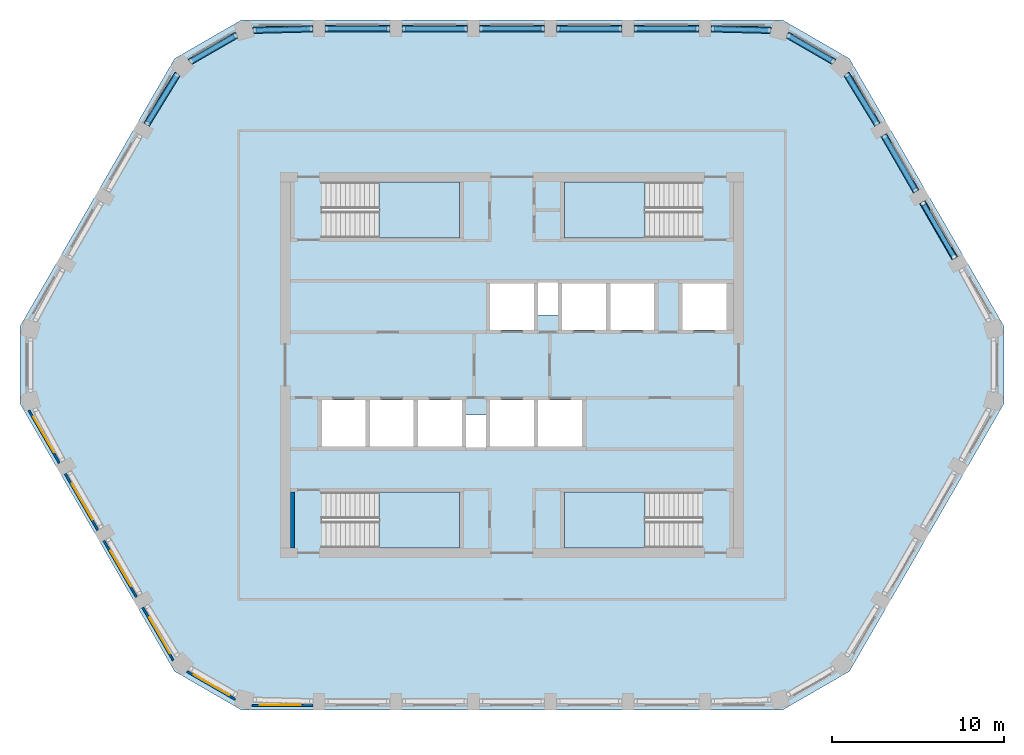
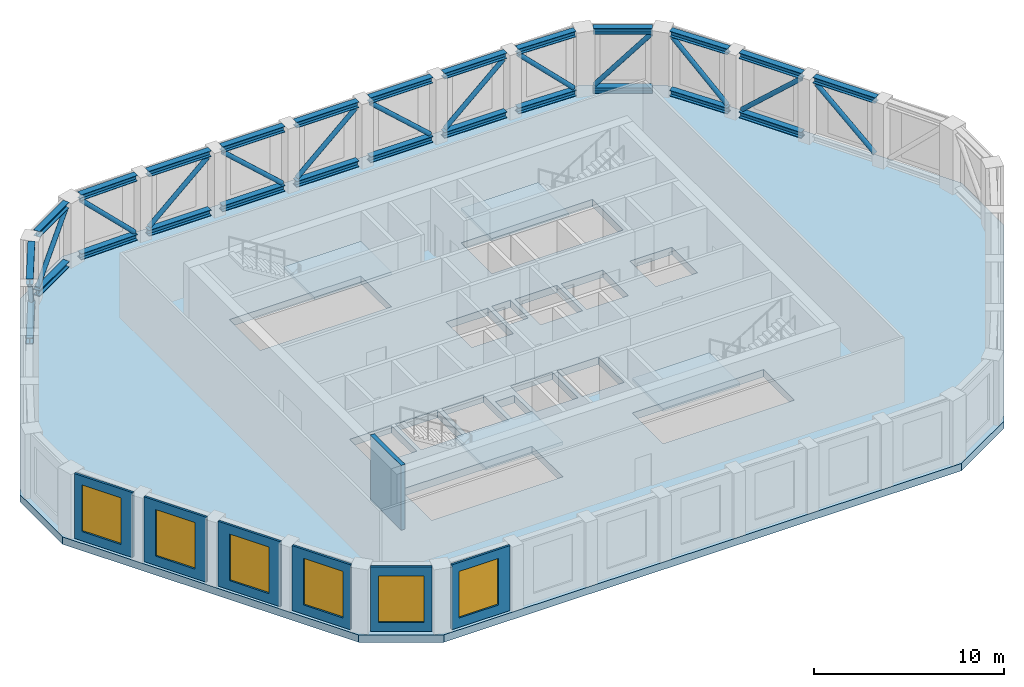
# One storey, part 2 of 14: 25 beams, 13 members, 7 walls, 6 windows, 5 slabs, 6 openings, 4 elements without a shape of their own.
"""IFC4 building model written with IfcOpenShell, lengths in metres."""

from ifc_helpers import new_model, si_unit, direction, frame, frame_2d, origin, origin_2d, place, context, subcontext, project, spatial, polyline, rectangle, hollow_circle, i_section, outline, extrude, material, layer, layer_set, material_profile, profile_set, type_object, element, fill, aggregate, save


model = new_model("IFC4")

# Units and contexts
model_context = context("Model", 3, precision=1e-05, world=origin(), true_north=direction((0.0, 1.0)))
body_context = subcontext(model_context, "Body", "Model", "MODEL_VIEW")
ifc_project = project(units=[si_unit("LENGTHUNIT", "METRE"), si_unit("AREAUNIT", "SQUARE_METRE"), si_unit("VOLUMEUNIT", "CUBIC_METRE"), si_unit("PLANEANGLEUNIT", "RADIAN"), si_unit("MASSUNIT", "GRAM", prefix="KILO")], contexts=[model_context])

# Site, building, storey
site_placement = place(None, origin())
site = spatial("IfcSite", under=ifc_project, at=site_placement, CompositionType="ELEMENT")
building_placement = place(site_placement, origin())
building = spatial("IfcBuilding", under=site, at=building_placement, Name="Dhurran Vertical Campus", CompositionType="ELEMENT")
storey_placement = place(building_placement, frame((0.0, 0.0, 282.0)))
storey = spatial("IfcBuildingStorey", under=building, at=storey_placement, Name="L70 Plant", CompositionType="ELEMENT", Elevation=282.0)

# Beams
ifc_material_1 = material(Name="Steel ASTM A992", Category="steel")
ifc_material_profile_1 = material_profile(ifc_material_1, i_section(OverallWidth=0.3740234375, OverallDepth=0.3720703125, WebThickness=0.016357421875, FlangeThickness=0.026123046875, at=origin_2d()), Name="W360x196")
ifc_profile_set_1 = profile_set([ifc_material_profile_1], Name="Steel ASTM A992")
beam_type = type_object("IfcBeamType", Name="FR BELT CHORD W360x196", PredefinedType="BEAM", material=ifc_profile_set_1)
beam_placement = place(storey_placement, frame((25.7890625, 6.2001953125, 3.989013671875), z_axis=(-0.499967155389, 0.866044365799, 0.0), x_axis=(-0.866044365799, -0.499967155389, 0.0)))
element("IfcBeam", 1, at=beam_placement, inside=storey, type_object=beam_type, Name="Belt truss chord L70", PredefinedType="BEAM", context=body_context, shape_type="SweptSolid", body=[
    extrude(i_section(OverallWidth=0.3740234375, OverallDepth=0.3720703125, WebThickness=0.016357421875, FlangeThickness=0.026123046875, at=origin_2d()), origin(), (0.0, 0.0, 1.0), 3.800048828125),
])
for number, where, z_axis, x_axis, name in (
    (2, (23.5390625, 10.097412109375, 0.18603515625), (-0.499994975061, 0.866028304915, 0.0), (-0.866028304915, -0.499994975061, 0.0), "Belt truss chord L70"),
    (3, (23.5390625, 10.097412109375, 3.989013671875), (-0.499994975061, 0.866028304915, 0.0), (-0.866028304915, -0.499994975061, 0.0), "Belt truss chord L70"),
):
    element("IfcBeam", number, at=place(storey_placement, frame(where, z_axis=z_axis, x_axis=x_axis)), inside=storey, type_object=beam_type, Name=name, PredefinedType="BEAM", context=body_context, shape_type="SweptSolid", body=[
        extrude(i_section(OverallWidth=0.3740234375, OverallDepth=0.3720703125, WebThickness=0.016357421875, FlangeThickness=0.026123046875, at=origin_2d()), origin(), (0.0, 0.0, 1.0), 3.7998046875),
    ])
for number, where, z_axis, x_axis, name in (
    (4, (21.28125, 13.989990234375, 0.18603515625), (-0.522299938367, 0.852761850919, 0.0), (-0.852761850919, -0.522299938367, 0.0), "Belt truss chord L70"),
    (5, (21.28125, 13.989990234375, 3.989013671875), (-0.522299938367, 0.852761850919, 0.0), (-0.852761850919, -0.522299938367, 0.0), "Belt truss chord L70"),
):
    element("IfcBeam", number, at=place(storey_placement, frame(where, z_axis=z_axis, x_axis=x_axis)), inside=storey, type_object=beam_type, Name=name, PredefinedType="BEAM", context=body_context, shape_type="SweptSolid", body=[
        extrude(i_section(OverallWidth=0.3740234375, OverallDepth=0.3720703125, WebThickness=0.016357421875, FlangeThickness=0.026123046875, at=origin_2d()), origin(), (0.0, 0.0, 1.0), 3.47314453125),
    ])
for number, where, z_axis, x_axis, name in (
    (6, (18.75048828125, 17.64892578125, 0.18603515625), (-0.866011891242, 0.50002340368, 0.0), (-0.50002340368, -0.866011891242, 0.0), "Belt truss chord L70"),
    (7, (18.75048828125, 17.64892578125, 3.989013671875), (-0.866011891242, 0.50002340368, 0.0), (-0.50002340368, -0.866011891242, 0.0), "Belt truss chord L70"),
):
    element("IfcBeam", number, at=place(storey_placement, frame(where, z_axis=z_axis, x_axis=x_axis)), inside=storey, type_object=beam_type, Name=name, PredefinedType="BEAM", context=body_context, shape_type="SweptSolid", body=[
        extrude(i_section(OverallWidth=0.3740234375, OverallDepth=0.3720703125, WebThickness=0.016357421875, FlangeThickness=0.026123046875, at=origin_2d()), origin(), (0.0, 0.0, 1.0), 3.136474609375),
    ])
for number, where, z_axis, x_axis, name in (
    (8, (15.07177734375, 19.489501953125, 0.18603515625), (-0.999665305657, 0.025870382031, 0.0), (-0.025870382031, -0.999665305657, 0.0), "Belt truss chord L70"),
    (9, (15.07177734375, 19.489501953125, 3.989013671875), (-0.999665305657, 0.025870382031, 0.0), (-0.025870382031, -0.999665305657, 0.0), "Belt truss chord L70"),
):
    element("IfcBeam", number, at=place(storey_placement, frame(where, z_axis=z_axis, x_axis=x_axis)), inside=storey, type_object=beam_type, Name=name, PredefinedType="BEAM", context=body_context, shape_type="SweptSolid", body=[
        extrude(i_section(OverallWidth=0.3740234375, OverallDepth=0.3720703125, WebThickness=0.016357421875, FlangeThickness=0.026123046875, at=origin_2d()), origin(), (0.0, 0.0, 1.0), 3.472900390625),
    ])
for number, where, z_axis, x_axis, name in (
    (10, (10.89990234375, 19.58837890625, 0.18603515625), (-1.0, 0.0, 0.0), (0.0, -1.0, 0.0), "Belt truss chord L70"),
    (11, (10.89990234375, 19.58837890625, 3.989013671875), (-1.0, 0.0, 0.0), (0.0, -1.0, 0.0), "Belt truss chord L70"),
    (12, (6.39990234375, 19.58837890625, 0.18603515625), (-1.0, 0.0, 0.0), (0.0, -1.0, 0.0), "Belt truss chord L70"),
    (13, (6.39990234375, 19.58837890625, 3.989013671875), (-1.0, 0.0, 0.0), (0.0, -1.0, 0.0), "Belt truss chord L70"),
    (14, (1.89990234375, 19.58837890625, 0.18603515625), (-1.0, 0.0, 0.0), (0.0, -1.0, 0.0), "Belt truss chord L70"),
    (15, (1.89990234375, 19.58837890625, 3.989013671875), (-1.0, 0.0, 0.0), (0.0, -1.0, 0.0), "Belt truss chord L70"),
    (16, (-2.60009765625, 19.58837890625, 0.18603515625), (-1.0, 0.0, 0.0), (0.0, -1.0, 0.0), "Belt truss chord L70"),
    (17, (-2.60009765625, 19.58837890625, 3.989013671875), (-1.0, 0.0, 0.0), (0.0, -1.0, 0.0), "Belt truss chord L70"),
    (18, (-7.10009765625, 19.58837890625, 0.18603515625), (-1.0, 0.0, 0.0), (0.0, -1.0, 0.0), "Belt truss chord L70"),
    (19, (-7.10009765625, 19.58837890625, 3.989013671875), (-1.0, 0.0, 0.0), (0.0, -1.0, 0.0), "Belt truss chord L70"),
):
    element("IfcBeam", number, at=place(storey_placement, frame(where, z_axis=z_axis, x_axis=x_axis)), inside=storey, type_object=beam_type, Name=name, PredefinedType="BEAM", context=body_context, shape_type="SweptSolid", body=[
        extrude(i_section(OverallWidth=0.3740234375, OverallDepth=0.3720703125, WebThickness=0.016357421875, FlangeThickness=0.026123046875, at=origin_2d()), origin(), (0.0, 0.0, 1.0), 3.7998046875),
    ])
for number, where, z_axis, x_axis, name in (
    (20, (-11.60009765625, 19.579345703125, 0.18603515625), (-0.999665305657, -0.025870382031, 0.0), (0.025870382031, -0.999665305657, 0.0), "Belt truss chord L70"),
    (21, (-11.60009765625, 19.579345703125, 3.989013671875), (-0.999665305657, -0.025870382031, 0.0), (0.025870382031, -0.999665305657, 0.0), "Belt truss chord L70"),
):
    element("IfcBeam", number, at=place(storey_placement, frame(where, z_axis=z_axis, x_axis=x_axis)), inside=storey, type_object=beam_type, Name=name, PredefinedType="BEAM", context=body_context, shape_type="SweptSolid", body=[
        extrude(i_section(OverallWidth=0.3740234375, OverallDepth=0.3720703125, WebThickness=0.016357421875, FlangeThickness=0.026123046875, at=origin_2d()), origin(), (0.0, 0.0, 1.0), 3.472900390625),
    ])
for number, where, z_axis, x_axis, name in (
    (22, (-16.0341796875, 19.21728515625, 0.18603515625), (-0.866011891242, -0.50002340368, 0.0), (0.50002340368, -0.866011891242, 0.0), "Belt truss chord L70"),
    (23, (-16.0341796875, 19.21728515625, 3.989013671875), (-0.866011891242, -0.50002340368, 0.0), (0.50002340368, -0.866011891242, 0.0), "Belt truss chord L70"),
):
    element("IfcBeam", number, at=place(storey_placement, frame(where, z_axis=z_axis, x_axis=x_axis)), inside=storey, type_object=beam_type, Name=name, PredefinedType="BEAM", context=body_context, shape_type="SweptSolid", body=[
        extrude(i_section(OverallWidth=0.3740234375, OverallDepth=0.3720703125, WebThickness=0.016357421875, FlangeThickness=0.026123046875, at=origin_2d()), origin(), (0.0, 0.0, 1.0), 3.136474609375),
    ])
for number, where, z_axis, x_axis, name in (
    (24, (-19.46728515625, 16.95166015625, 0.18603515625), (-0.522299938367, -0.852761850919, 0.0), (0.852761850919, -0.522299938367, 0.0), "Belt truss chord L70"),
    (25, (-19.46728515625, 16.95166015625, 3.989013671875), (-0.522299938367, -0.852761850919, 0.0), (0.852761850919, -0.522299938367, 0.0), "Belt truss chord L70"),
):
    element("IfcBeam", number, at=place(storey_placement, frame(where, z_axis=z_axis, x_axis=x_axis)), inside=storey, type_object=beam_type, Name=name, PredefinedType="BEAM", context=body_context, shape_type="SweptSolid", body=[
        extrude(i_section(OverallWidth=0.3740234375, OverallDepth=0.3720703125, WebThickness=0.016357421875, FlangeThickness=0.026123046875, at=origin_2d()), origin(), (0.0, 0.0, 1.0), 3.47314453125),
    ])

# Members
ifc_material_2 = material(Name="Steel S355J2H", Category="steel")
ifc_material_profile_2 = material_profile(ifc_material_2, hollow_circle(Radius=0.136474609375, WallThickness=0.012451171875, at=origin_2d()), Name="CHS273x12.5")
ifc_profile_set_2 = profile_set([ifc_material_profile_2], Name="Steel S355J2H")
member_type = type_object("IfcMemberType", Name="FR BELT DIAGONAL CHS273x12.5", PredefinedType="BRACE", material=ifc_profile_set_2)
for number, where, z_axis, x_axis, name in (
    (26, (25.73291015625, 6.29736328125, 0.473388671875), (-0.371088535519, 0.642791026493, 0.670158932691), (-0.866041176648, -0.499972679604, 0.0), "Belt truss diagonal L70"),
    (27, (21.6953125, 13.291015625, 0.473388671875), (0.371088535519, -0.642791026493, 0.670158932691), (0.866041176648, 0.499972679604, 0.0), "Belt truss diagonal L70"),
):
    element("IfcMember", number, at=place(storey_placement, frame(where, z_axis=z_axis, x_axis=x_axis)), inside=storey, type_object=member_type, Name=name, PredefinedType="BRACE", context=body_context, shape_type="SweptSolid", body=[
        extrude(hollow_circle(Radius=0.136474609375, WallThickness=0.012451171875, at=origin_2d()), origin(), (0.0, 0.0, 1.0), 4.817138671875),
    ])
member_1_placement = place(storey_placement, frame((21.22998046875, 14.07373046875, 0.468994140625), z_axis=(-0.371534355579, 0.606678655957, 0.702782491977), x_axis=(-0.852789675077, -0.522254507, 0.0)))
element("IfcMember", 28, at=member_1_placement, inside=storey, type_object=member_type, Name="Belt truss diagonal L70", PredefinedType="BRACE", context=body_context, shape_type="SweptSolid", body=[
    extrude(hollow_circle(Radius=0.136474609375, WallThickness=0.012451171875, at=origin_2d()), origin(), (0.0, 0.0, 1.0), 4.605712890625),
])
member_2_placement = place(storey_placement, frame((16.107177734375, 19.17529296875, 0.464111328125), z_axis=(0.58429729342, -0.337380627536, 0.738086028228), x_axis=(0.500040492491, 0.866002024172, 0.0)))
element("IfcMember", 29, at=member_2_placement, inside=storey, type_object=member_type, Name="Belt truss diagonal L70", PredefinedType="BRACE", context=body_context, shape_type="SweptSolid", body=[
    extrude(hollow_circle(Radius=0.136474609375, WallThickness=0.012451171875, at=origin_2d()), origin(), (0.0, 0.0, 1.0), 4.39892578125),
])
member_3_placement = place(storey_placement, frame((14.9736328125, 19.491943359375, 0.468994140625), z_axis=(-0.711161727511, 0.018446949998, 0.702786388144), x_axis=(-0.025930455033, -0.999663749219, 0.0)))
element("IfcMember", 30, at=member_3_placement, inside=storey, type_object=member_type, Name="Belt truss diagonal L70", PredefinedType="BRACE", context=body_context, shape_type="SweptSolid", body=[
    extrude(hollow_circle(Radius=0.136474609375, WallThickness=0.012451171875, at=origin_2d()), origin(), (0.0, 0.0, 1.0), 4.605712890625),
])
for number, where, z_axis, x_axis, name in (
    (31, (7.212158203125, 19.58837890625, 0.473388671875), (0.742244933877, 0.0, 0.670128687741), (0.0, 1.0, 0.0), "Belt truss diagonal L70"),
    (32, (6.287841796875, 19.58837890625, 0.473388671875), (-0.742244933877, 0.0, 0.670128687741), (0.0, -1.0, 0.0), "Belt truss diagonal L70"),
    (33, (-1.787841796875, 19.58837890625, 0.473388671875), (0.742244933877, 0.0, 0.670128687741), (0.0, 1.0, 0.0), "Belt truss diagonal L70"),
    (34, (-2.712158203125, 19.58837890625, 0.473388671875), (-0.742244933877, 0.0, 0.670128687741), (0.0, -1.0, 0.0), "Belt truss diagonal L70"),
    (35, (-10.787841796875, 19.58837890625, 0.473388671875), (0.742244933877, 0.0, 0.670128687741), (0.0, 1.0, 0.0), "Belt truss diagonal L70"),
):
    element("IfcMember", number, at=place(storey_placement, frame(where, z_axis=z_axis, x_axis=x_axis)), inside=storey, type_object=member_type, Name=name, PredefinedType="BRACE", context=body_context, shape_type="SweptSolid", body=[
        extrude(hollow_circle(Radius=0.136474609375, WallThickness=0.012451171875, at=origin_2d()), origin(), (0.0, 0.0, 1.0), 4.8173828125),
    ])
member_4_placement = place(storey_placement, frame((-11.6982421875, 19.576904296875, 0.468994140625), z_axis=(-0.711161727511, -0.018446949998, 0.702786388144), x_axis=(0.025930455033, -0.999663749219, 0.0)))
element("IfcMember", 36, at=member_4_placement, inside=storey, type_object=member_type, Name="Belt truss diagonal L70", PredefinedType="BRACE", context=body_context, shape_type="SweptSolid", body=[
    extrude(hollow_circle(Radius=0.136474609375, WallThickness=0.012451171875, at=origin_2d()), origin(), (0.0, 0.0, 1.0), 4.605712890625),
])
member_5_placement = place(storey_placement, frame((-18.677490234375, 17.691162109375, 0.464111328125), z_axis=(0.58429729342, 0.337380627536, 0.738086028228), x_axis=(-0.500040492491, 0.866002024172, 0.0)))
element("IfcMember", 37, at=member_5_placement, inside=storey, type_object=member_type, Name="Belt truss diagonal L70", PredefinedType="BRACE", context=body_context, shape_type="SweptSolid", body=[
    extrude(hollow_circle(Radius=0.136474609375, WallThickness=0.012451171875, at=origin_2d()), origin(), (0.0, 0.0, 1.0), 4.39892578125),
])
member_6_placement = place(storey_placement, frame((-19.518798828125, 16.867919921875, 0.468994140625), z_axis=(-0.371534355579, -0.606678655957, 0.702782491977), x_axis=(0.852789675077, -0.522254507, 0.0)))
element("IfcMember", 38, at=member_6_placement, inside=storey, type_object=member_type, Name="Belt truss diagonal L70", PredefinedType="BRACE", context=body_context, shape_type="SweptSolid", body=[
    extrude(hollow_circle(Radius=0.136474609375, WallThickness=0.012451171875, at=origin_2d()), origin(), (0.0, 0.0, 1.0), 4.605712890625),
])

# Slab
ifc_material_3 = material(Name="Concrete C40/50", Category="concrete")
ifc_layer_1 = layer(ifc_material_3, 0.47509765625)
ifc_layer_set_1 = layer_set([ifc_layer_1], Name="Concrete C40/50")
slab_type_1 = type_object("IfcSlabType", Name="FR POST-TENSIONED FLAT SLAB 475", PredefinedType="FLOOR", material=ifc_layer_set_1)
slab_1_placement = place(storey_placement, frame((0.0, 0.0, -0.47509765625)))
element("IfcSlab", 39, at=slab_1_placement, inside=storey, type_object=slab_type_1, Name="Floor slab L70", PredefinedType="FLOOR", context=body_context, shape_type="SweptSolid", body=[
    extrude(outline(polyline([(-15.75, -20.08837890625), (15.75, -20.08837890625), (19.647216796875, -17.83837890625), (28.647216796875, -2.25), (28.647216796875, 2.25), (19.647216796875, 17.83837890625), (15.75, 20.08837890625), (-15.75, 20.08837890625), (-19.647216796875, 17.83837890625), (-28.647216796875, 2.25), (-28.647216796875, -2.25), (-19.647216796875, -17.83837890625), (-15.75, -20.08837890625)]), holes=[polyline([(-1.27490234375, 2.050048828125), (1.27490234375, 2.050048828125), (1.27490234375, 4.75), (-1.27490234375, 4.75), (-1.27490234375, 2.050048828125)]), polyline([(9.925048828125, 2.050048828125), (12.47509765625, 2.050048828125), (12.47509765625, 4.75), (9.925048828125, 4.75), (9.925048828125, 2.050048828125)]), polyline([(-1.27490234375, -4.75), (1.27490234375, -4.75), (1.27490234375, -2.050048828125), (-1.27490234375, -2.050048828125), (-1.27490234375, -4.75)]), polyline([(1.52490234375, -4.75), (4.074951171875, -4.75), (4.074951171875, -2.050048828125), (1.52490234375, -2.050048828125), (1.52490234375, -4.75)]), polyline([(2.925048828125, 2.050048828125), (5.47509765625, 2.050048828125), (5.47509765625, 4.75), (2.925048828125, 4.75), (2.925048828125, 2.050048828125)]), polyline([(5.72509765625, 2.050048828125), (8.27490234375, 2.050048828125), (8.27490234375, 4.75), (5.72509765625, 4.75), (5.72509765625, 2.050048828125)]), polyline([(-11.074951171875, -4.75), (-8.52490234375, -4.75), (-8.52490234375, -2.050048828125), (-11.074951171875, -2.050048828125), (-11.074951171875, -4.75)]), polyline([(-8.27490234375, -4.75), (-5.72509765625, -4.75), (-5.72509765625, -2.050048828125), (-8.27490234375, -2.050048828125), (-8.27490234375, -4.75)]), polyline([(-5.47509765625, -4.75), (-2.925048828125, -4.75), (-2.925048828125, -2.050048828125), (-5.47509765625, -2.050048828125), (-5.47509765625, -4.75)]), polyline([(-11.050048828125, 7.39990234375), (-3.050048828125, 7.39990234375), (-3.050048828125, 10.64990234375), (-11.050048828125, 10.64990234375), (-11.050048828125, 7.39990234375)]), polyline([(3.050048828125, 7.39990234375), (11.050048828125, 7.39990234375), (11.050048828125, 10.64990234375), (3.050048828125, 10.64990234375), (3.050048828125, 7.39990234375)]), polyline([(-11.050048828125, -10.64990234375), (-3.050048828125, -10.64990234375), (-3.050048828125, -7.39990234375), (-11.050048828125, -7.39990234375), (-11.050048828125, -10.64990234375)]), polyline([(3.050048828125, -10.64990234375), (11.050048828125, -10.64990234375), (11.050048828125, -7.39990234375), (3.050048828125, -7.39990234375), (3.050048828125, -10.64990234375)]), polyline([(2.675048828125, 2.89990234375), (1.52490234375, 2.89990234375), (1.52490234375, 4.800048828125), (2.675048828125, 4.800048828125), (2.675048828125, 2.89990234375)]), polyline([(-2.675048828125, -2.89990234375), (-1.52490234375, -2.89990234375), (-1.52490234375, -4.800048828125), (-2.675048828125, -4.800048828125), (-2.675048828125, -2.89990234375)])]), origin(), (0.0, 0.0, 1.0), 0.47509765625),
])

# Stair, slab
ifc_material_4 = material(Name="Concrete C40/50", Category="concrete")
stair_type = type_object("IfcStairType", Name="co-ST-CORE", PredefinedType="HALF_TURN_STAIR", material=ifc_material_4)
stair_1_placement = place(storey_placement, origin())
stair_1 = element("IfcStair", 40, at=stair_1_placement, inside=storey, type_object=stair_type, Name="L70 Plant Protected exit stair ST1", PredefinedType="HALF_TURN_STAIR")
ifc_material_5 = material(Name="Concrete C40/50", Category="concrete")
ifc_layer_2 = layer(ifc_material_5, 0.199951171875)
ifc_layer_set_2 = layer_set([ifc_layer_2], Name="Concrete C40/50")
slab_type_2 = type_object("IfcSlabType", Name="co-SL-LANDING", PredefinedType="LANDING", material=ifc_layer_set_2)
slab_2_placement = place(storey_placement, frame((0.0, 0.0, 2.050048828125)))
slab_2 = element("IfcSlab", 41, at=slab_2_placement, type_object=slab_type_2, Name="ST1 landing 1", PredefinedType="LANDING", context=body_context, shape_type="SweptSolid", body=[
    extrude(outline(polyline([(-7.739990234375, 7.39990234375), (-3.050048828125, 7.39990234375), (-3.050048828125, 10.64990234375), (-7.739990234375, 10.64990234375), (-7.739990234375, 7.39990234375)])), origin(), (0.0, 0.0, 1.0), 0.199951171875),
])
aggregate(stair_1, [slab_2])

stair_2_placement = place(storey_placement, origin())
stair_2 = element("IfcStair", 42, at=stair_2_placement, inside=storey, type_object=stair_type, Name="L70 Plant Protected exit stair ST2", PredefinedType="HALF_TURN_STAIR")
slab_3_placement = place(storey_placement, frame((0.0, 0.0, 2.050048828125)))
slab_3 = element("IfcSlab", 43, at=slab_3_placement, type_object=slab_type_2, Name="ST2 landing 1", PredefinedType="LANDING", context=body_context, shape_type="SweptSolid", body=[
    extrude(outline(polyline([(7.739990234375, 10.64990234375), (3.050048828125, 10.64990234375), (3.050048828125, 7.39990234375), (7.739990234375, 7.39990234375), (7.739990234375, 10.64990234375)])), origin(), (0.0, 0.0, 1.0), 0.199951171875),
])
aggregate(stair_2, [slab_3])

stair_3_placement = place(storey_placement, origin())
stair_3 = element("IfcStair", 44, at=stair_3_placement, inside=storey, type_object=stair_type, Name="L70 Plant Protected exit stair ST3", PredefinedType="HALF_TURN_STAIR")
slab_4_placement = place(storey_placement, frame((0.0, 0.0, 2.050048828125)))
slab_4 = element("IfcSlab", 45, at=slab_4_placement, type_object=slab_type_2, Name="ST3 landing 1", PredefinedType="LANDING", context=body_context, shape_type="SweptSolid", body=[
    extrude(outline(polyline([(-7.739990234375, -10.64990234375), (-3.050048828125, -10.64990234375), (-3.050048828125, -7.39990234375), (-7.739990234375, -7.39990234375), (-7.739990234375, -10.64990234375)])), origin(), (0.0, 0.0, 1.0), 0.199951171875),
])
aggregate(stair_3, [slab_4])

stair_4_placement = place(storey_placement, origin())
stair_4 = element("IfcStair", 46, at=stair_4_placement, inside=storey, type_object=stair_type, Name="L70 Plant Protected exit stair ST4", PredefinedType="HALF_TURN_STAIR")
slab_5_placement = place(storey_placement, frame((0.0, 0.0, 2.050048828125)))
slab_5 = element("IfcSlab", 47, at=slab_5_placement, type_object=slab_type_2, Name="ST4 landing 1", PredefinedType="LANDING", context=body_context, shape_type="SweptSolid", body=[
    extrude(outline(polyline([(7.739990234375, -7.39990234375), (3.050048828125, -7.39990234375), (3.050048828125, -10.64990234375), (7.739990234375, -10.64990234375), (7.739990234375, -7.39990234375)])), origin(), (0.0, 0.0, 1.0), 0.199951171875),
])
aggregate(stair_4, [slab_5])

# Wall, opening, window
ifc_material_6 = material(Name="Precast concrete C50/60", Category="concrete")
ifc_layer_3 = layer(ifc_material_6, 0.1201171875)
ifc_layer_set_3 = layer_set([ifc_layer_3], Name="Precast concrete C50/60")
wall_type_1 = type_object("IfcWallType", Name="Precast louvre-bay panel 120", PredefinedType="SOLIDWALL", material=ifc_layer_set_3)
wall_1_placement = place(storey_placement, frame((-15.148681640625, -19.83740234375, 0.0), z_axis=(0.0, 0.0, 1.0), x_axis=(1.0, 0.0, 0.0)))
wall_1 = element("IfcWall", 48, at=wall_1_placement, inside=storey, type_object=wall_type_1, Name="EW4 L70.00", PredefinedType="SOLIDWALL", context=body_context, shape_type="SweptSolid", body=[
    extrude(rectangle(XDim=3.548095703125, YDim=0.1201171875, at=frame_2d((1.77392578125, 0.0))), origin(), (0.0, 0.0, 1.0), 4.175048828125),
])
opening_1_placement = place(wall_1_placement, frame((0.44873046875, 0.0, 0.60009765625)))
opening_1 = element("IfcOpeningElement", 49, at=opening_1_placement, cuts=wall_1, Name="Opening WT4", PredefinedType="OPENING", context=body_context, shape_type="SweptSolid", body=[
    extrude(rectangle(XDim=2.39990234375, YDim=3.0, at=frame_2d((1.199951171875, 1.5))), frame((0.0, 0.070068359375, 0.0), z_axis=(0.0, -1.0, 0.0), x_axis=(1.0, 0.0, 0.0)), (0.0, 0.0, 1.0), 0.14013671875),
])
ifc_material_7 = material(Name="Aluminium louvre", Category="aluminium")
window_type = type_object("IfcWindowType", Name="Louvred plant vent 2400 x 3000", PartitioningType="SINGLE_PANEL", PredefinedType="WINDOW", material=ifc_material_7)
window_1_placement = place(opening_1_placement, origin())
window_1 = element("IfcWindow", 50, at=window_1_placement, inside=storey, type_object=window_type, Name="WT4 L70.00", OverallHeight=3.0, OverallWidth=2.39990234375, PartitioningType="SINGLE_PANEL", PredefinedType="WINDOW", context=body_context, shape_type="SweptSolid", body=[
    extrude(rectangle(XDim=2.39990234375, YDim=3.0, at=frame_2d((1.199951171875, 1.5))), frame((0.0, 0.06005859375, 0.0), z_axis=(0.0, -1.0, 0.0), x_axis=(1.0, 0.0, 0.0)), (0.0, 0.0, 1.0), 0.02001953125),
])
fill(opening_1, window_1)

wall_2_placement = place(storey_placement, frame((-28.12890625, -2.64501953125, 0.0), z_axis=(0.0, 0.0, 1.0), x_axis=(0.499994435258, -0.866028616566, 0.0)))
wall_2 = element("IfcWall", 51, at=wall_2_placement, inside=storey, type_object=wall_type_1, Name="EW4 L70.31", PredefinedType="SOLIDWALL", context=body_context, shape_type="SweptSolid", body=[
    extrude(rectangle(XDim=3.54833984375, YDim=0.1201171875, at=frame_2d((1.774169921875, 0.0))), origin(), (0.0, 0.0, 1.0), 4.175048828125),
])
opening_2_placement = place(wall_2_placement, frame((0.44873046875, 0.0, 0.60009765625)))
opening_2 = element("IfcOpeningElement", 52, at=opening_2_placement, cuts=wall_2, Name="Opening WT4", PredefinedType="OPENING", context=body_context, shape_type="SweptSolid", body=[
    extrude(rectangle(XDim=2.39990234375, YDim=3.0, at=frame_2d((1.199951171875, 1.5))), frame((0.0, 0.070068359375, 0.0), z_axis=(0.0, -1.0, 0.0), x_axis=(1.0, 0.0, 0.0)), (0.0, 0.0, 1.0), 0.14013671875),
])
window_2_placement = place(opening_2_placement, origin())
window_2 = element("IfcWindow", 53, at=window_2_placement, inside=storey, type_object=window_type, Name="WT4 L70.31", OverallHeight=3.0, OverallWidth=2.39990234375, PartitioningType="SINGLE_PANEL", PredefinedType="WINDOW", context=body_context, shape_type="SweptSolid", body=[
    extrude(rectangle(XDim=2.39990234375, YDim=3.0, at=frame_2d((1.199951171875, 1.5))), frame((0.0, 0.06005859375, 0.0), z_axis=(0.0, -1.0, 0.0), x_axis=(1.0, 0.0, 0.0)), (0.0, 0.0, 1.0), 0.02001953125),
])
fill(opening_2, window_2)

wall_3_placement = place(storey_placement, frame((-26.0166015625, -6.332275390625, 0.0), z_axis=(0.0, 0.0, 1.0), x_axis=(0.499982058975, -0.866035761792, 0.0)))
wall_3 = element("IfcWall", 54, at=wall_3_placement, inside=storey, type_object=wall_type_1, Name="EW4 L70.32", PredefinedType="SOLIDWALL", context=body_context, shape_type="SweptSolid", body=[
    extrude(rectangle(XDim=3.799072265625, YDim=0.1201171875, at=frame_2d((1.8994140625, 0.0))), origin(), (0.0, 0.0, 1.0), 4.175048828125),
])
opening_3_placement = place(wall_3_placement, frame((0.699462890625, 0.0, 0.60009765625)))
opening_3 = element("IfcOpeningElement", 55, at=opening_3_placement, cuts=wall_3, Name="Opening WT4", PredefinedType="OPENING", context=body_context, shape_type="SweptSolid", body=[
    extrude(rectangle(XDim=2.39990234375, YDim=3.0, at=frame_2d((1.199951171875, 1.5))), frame((0.0, 0.070068359375, 0.0), z_axis=(0.0, -1.0, 0.0), x_axis=(1.0, 0.0, 0.0)), (0.0, 0.0, 1.0), 0.14013671875),
])
window_3_placement = place(opening_3_placement, origin())
window_3 = element("IfcWindow", 56, at=window_3_placement, inside=storey, type_object=window_type, Name="WT4 L70.32", OverallHeight=3.0, OverallWidth=2.39990234375, PartitioningType="SINGLE_PANEL", PredefinedType="WINDOW", context=body_context, shape_type="SweptSolid", body=[
    extrude(rectangle(XDim=2.39990234375, YDim=3.0, at=frame_2d((1.199951171875, 1.5))), frame((0.0, 0.06005859375, 0.0), z_axis=(0.0, -1.0, 0.0), x_axis=(1.0, 0.0, 0.0)), (0.0, 0.0, 1.0), 0.02001953125),
])
fill(opening_3, window_3)

wall_4_placement = place(storey_placement, frame((-23.7666015625, -10.229248046875, 0.0), z_axis=(0.0, 0.0, 1.0), x_axis=(0.499982058975, -0.866035761792, 0.0)))
wall_4 = element("IfcWall", 57, at=wall_4_placement, inside=storey, type_object=wall_type_1, Name="EW4 L70.33", PredefinedType="SOLIDWALL", context=body_context, shape_type="SweptSolid", body=[
    extrude(rectangle(XDim=3.799072265625, YDim=0.1201171875, at=frame_2d((1.8994140625, 0.0))), origin(), (0.0, 0.0, 1.0), 4.175048828125),
])
opening_4_placement = place(wall_4_placement, frame((0.699462890625, 0.0, 0.60009765625)))
opening_4 = element("IfcOpeningElement", 58, at=opening_4_placement, cuts=wall_4, Name="Opening WT4", PredefinedType="OPENING", context=body_context, shape_type="SweptSolid", body=[
    extrude(rectangle(XDim=2.39990234375, YDim=3.0, at=frame_2d((1.199951171875, 1.5))), frame((0.0, 0.070068359375, 0.0), z_axis=(0.0, -1.0, 0.0), x_axis=(1.0, 0.0, 0.0)), (0.0, 0.0, 1.0), 0.14013671875),
])
window_4_placement = place(opening_4_placement, origin())
window_4 = element("IfcWindow", 59, at=window_4_placement, inside=storey, type_object=window_type, Name="WT4 L70.33", OverallHeight=3.0, OverallWidth=2.39990234375, PartitioningType="SINGLE_PANEL", PredefinedType="WINDOW", context=body_context, shape_type="SweptSolid", body=[
    extrude(rectangle(XDim=2.39990234375, YDim=3.0, at=frame_2d((1.199951171875, 1.5))), frame((0.0, 0.06005859375, 0.0), z_axis=(0.0, -1.0, 0.0), x_axis=(1.0, 0.0, 0.0)), (0.0, 0.0, 1.0), 0.02001953125),
])
fill(opening_4, window_4)

wall_5_placement = place(storey_placement, frame((-21.504150390625, -14.119140625, 0.0), z_axis=(0.0, 0.0, 1.0), x_axis=(0.499994435258, -0.866028616566, 0.0)))
wall_5 = element("IfcWall", 60, at=wall_5_placement, inside=storey, type_object=wall_type_1, Name="EW4 L70.34", PredefinedType="SOLIDWALL", context=body_context, shape_type="SweptSolid", body=[
    extrude(rectangle(XDim=3.54833984375, YDim=0.1201171875, at=frame_2d((1.774169921875, 0.0))), origin(), (0.0, 0.0, 1.0), 4.175048828125),
])
opening_5_placement = place(wall_5_placement, frame((0.699462890625, 0.0, 0.60009765625)))
opening_5 = element("IfcOpeningElement", 61, at=opening_5_placement, cuts=wall_5, Name="Opening WT4", PredefinedType="OPENING", context=body_context, shape_type="SweptSolid", body=[
    extrude(rectangle(XDim=2.39990234375, YDim=3.0, at=frame_2d((1.199951171875, 1.5))), frame((0.0, 0.070068359375, 0.0), z_axis=(0.0, -1.0, 0.0), x_axis=(1.0, 0.0, 0.0)), (0.0, 0.0, 1.0), 0.14013671875),
])
window_5_placement = place(opening_5_placement, origin())
window_5 = element("IfcWindow", 62, at=window_5_placement, inside=storey, type_object=window_type, Name="WT4 L70.34", OverallHeight=3.0, OverallWidth=2.39990234375, PartitioningType="SINGLE_PANEL", PredefinedType="WINDOW", context=body_context, shape_type="SweptSolid", body=[
    extrude(rectangle(XDim=2.39990234375, YDim=3.0, at=frame_2d((1.199951171875, 1.5))), frame((0.0, 0.06005859375, 0.0), z_axis=(0.0, -1.0, 0.0), x_axis=(1.0, 0.0, 0.0)), (0.0, 0.0, 1.0), 0.02001953125),
])
fill(opening_5, window_5)

wall_6_placement = place(storey_placement, frame((-18.928955078125, -17.849853515625, 0.0), z_axis=(0.0, 0.0, 1.0), x_axis=(0.866035229914, -0.499982980259, 0.0)))
wall_6 = element("IfcWall", 63, at=wall_6_placement, inside=storey, type_object=wall_type_1, Name="EW4 L70.35", PredefinedType="SOLIDWALL", context=body_context, shape_type="SweptSolid", body=[
    extrude(rectangle(XDim=3.24462890625, YDim=0.1201171875, at=frame_2d((1.622314453125, 0.0))), origin(), (0.0, 0.0, 1.0), 4.175048828125),
])
opening_6_placement = place(wall_6_placement, frame((0.42236328125, 0.0, 0.60009765625)))
opening_6 = element("IfcOpeningElement", 64, at=opening_6_placement, cuts=wall_6, Name="Opening WT4", PredefinedType="OPENING", context=body_context, shape_type="SweptSolid", body=[
    extrude(rectangle(XDim=2.39990234375, YDim=3.0, at=frame_2d((1.199951171875, 1.5))), frame((0.0, 0.070068359375, 0.0), z_axis=(0.0, -1.0, 0.0), x_axis=(1.0, 0.0, 0.0)), (0.0, 0.0, 1.0), 0.14013671875),
])
window_6_placement = place(opening_6_placement, origin())
window_6 = element("IfcWindow", 65, at=window_6_placement, inside=storey, type_object=window_type, Name="WT4 L70.35", OverallHeight=3.0, OverallWidth=2.39990234375, PartitioningType="SINGLE_PANEL", PredefinedType="WINDOW", context=body_context, shape_type="SweptSolid", body=[
    extrude(rectangle(XDim=2.39990234375, YDim=3.0, at=frame_2d((1.199951171875, 1.5))), frame((0.0, 0.06005859375, 0.0), z_axis=(0.0, -1.0, 0.0), x_axis=(1.0, 0.0, 0.0)), (0.0, 0.0, 1.0), 0.02001953125),
])
fill(opening_6, window_6)

# Wall
ifc_material_8 = material(Name="Concrete C40/50", Category="concrete")
ifc_layer_4 = layer(ifc_material_8, 0.25)
ifc_layer_set_4 = layer_set([ifc_layer_4], Name="Concrete C40/50")
wall_type_2 = type_object("IfcWallType", Name="co-STAIR-WALL-250", PredefinedType="SHEAR", material=ifc_layer_set_4)
wall_7_placement = place(storey_placement, frame((-12.77490234375, -10.64990234375, 0.0), z_axis=(0.0, 0.0, 1.0), x_axis=(0.0, 1.0, 0.0)))
element("IfcWall", 66, at=wall_7_placement, inside=storey, type_object=wall_type_2, Name="Stair ST3 enclosure wall L70", PredefinedType="SHEAR", context=body_context, shape_type="SweptSolid", body=[
    extrude(rectangle(XDim=3.25, YDim=0.25, at=frame_2d((1.625, 0.0))), origin(), (0.0, 0.0, 1.0), 4.175048828125),
])

save(model, "model.ifc")
